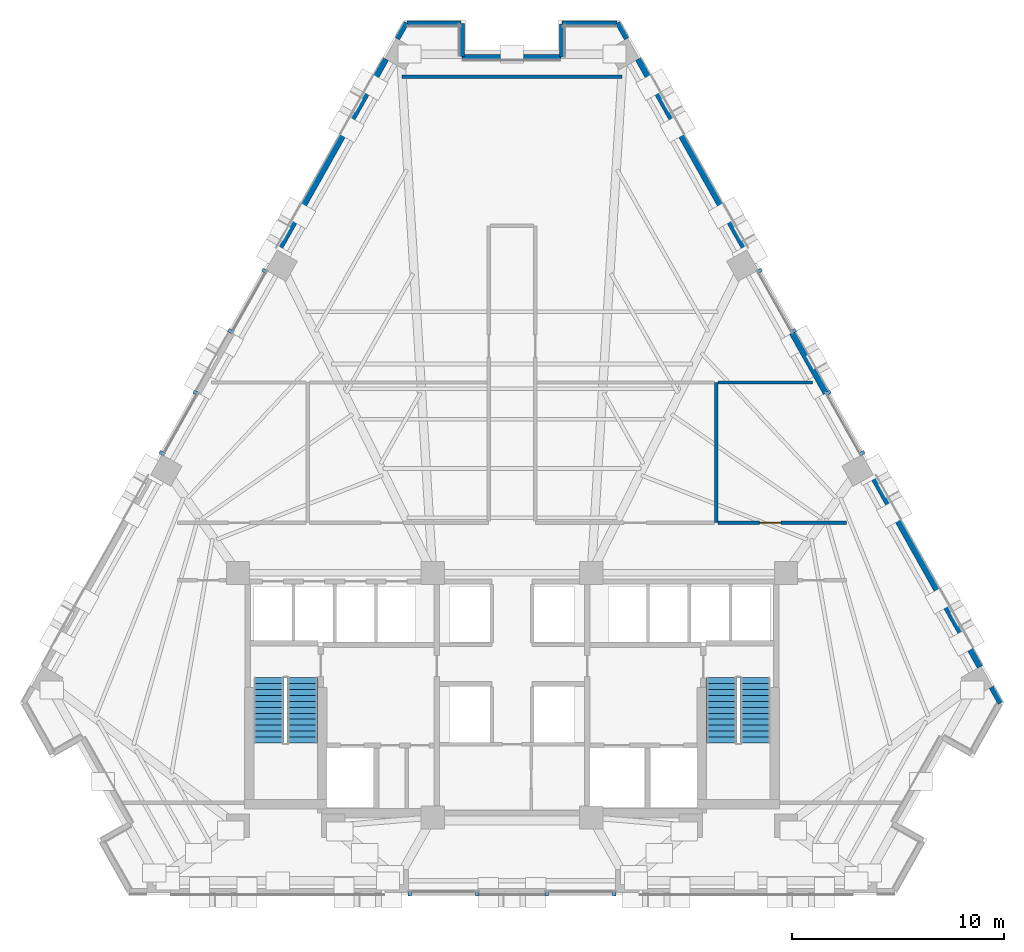
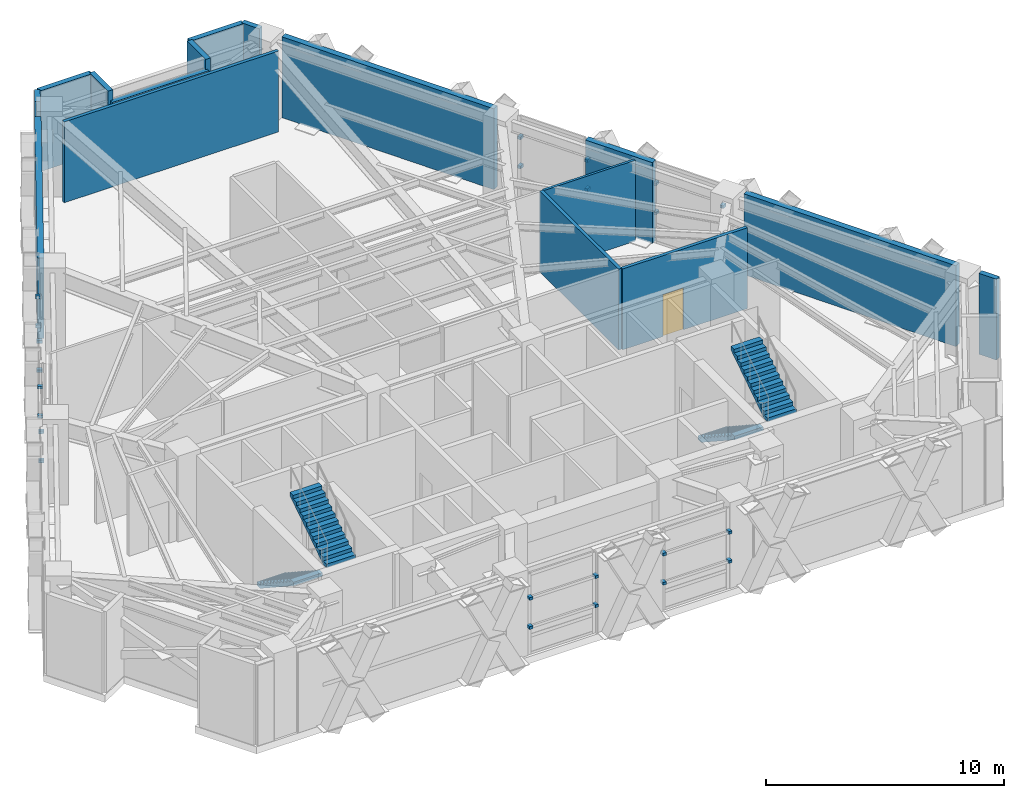
# One storey, part 8 of 12: 24 discrete accessories, 16 walls, 4 stair flights, 1 door, 1 opening, 2 elements without a shape of their own.
"""IFC4 building model written with IfcOpenShell, lengths in metres."""

import ifcopenshell
import ifcopenshell.guid

model = None  # the IFC model being written
_history = None  # IfcOwnerHistory: only IFC2X3 demands one
_inside = {}  # id of a spatial element -> (the spatial element, [elements in it])
_under = {}  # id of a project, library or spatial element -> (it, [spatial elements below it])
_declared = {}  # id of a project -> (the project, [libraries it declares])
_typed = {}  # id of a type object -> (the type object, [elements of that type])
_made_of = {}  # id of a material, layer set ... -> (it, [elements and type objects made of it])


def new_model(schema):
    """Start an empty IFC model of exactly this schema.

    Asked for "IFC4X3", IfcOpenShell would pick the latest addendum, in which some entities
    have other attributes; the version numbers below select the first issue.
    IFC2X3 requires an IfcOwnerHistory on every rooted entity: one is made here for all.
    """
    global model, _history
    if schema == "IFC4X3":
        model = ifcopenshell.file(schema_version=(4, 3, 0, 0))
    else:
        model = ifcopenshell.file(schema=schema)
    _inside.clear()
    _under.clear()
    _declared.clear()
    _typed.clear()
    _made_of.clear()
    _history = None
    if model.schema == "IFC2X3":
        org = make("IfcOrganization", Name="unknown")
        user = make(
            "IfcPersonAndOrganization",
            ThePerson=make("IfcPerson", FamilyName="unknown"),
            TheOrganization=org,
        )
        app = make(
            "IfcApplication",
            ApplicationDeveloper=org,
            Version="unknown",
            ApplicationFullName="unknown",
            ApplicationIdentifier="unknown",
        )
        _history = make(
            "IfcOwnerHistory",
            OwningUser=user,
            OwningApplication=app,
            ChangeAction="ADDED",
            CreationDate=0,
        )
    return model


def make(cls, **values):
    """One entity of the class cls with the attributes given. An attribute that is None is left unset."""
    return model.create_entity(
        cls, **{name: value for name, value in values.items() if value is not None}
    )


def rooted(cls, **values):
    """An entity with a GlobalId (a new one), such as an element, a storey or a relation."""
    return make(cls, GlobalId=ifcopenshell.guid.new(), OwnerHistory=_history, **values)


def si_unit(unit_type, name, prefix=None):
    """IfcSIUnit, for example si_unit("LENGTHUNIT", "METRE", prefix="MILLI")."""
    return make("IfcSIUnit", UnitType=unit_type, Prefix=prefix, Name=name)


def assignment(units):
    """IfcUnitAssignment: the units of a project."""
    return None if units is None else make("IfcUnitAssignment", Units=units)


def point(xyz):
    """IfcCartesianPoint."""
    return None if xyz is None else make("IfcCartesianPoint", Coordinates=xyz)


def direction(xyz):
    """IfcDirection."""
    return None if xyz is None else make("IfcDirection", DirectionRatios=xyz)


def frame(location, z_axis=None, x_axis=None):
    """IfcAxis2Placement3D, a coordinate frame: its origin and axes. An axis left out is left unset."""
    return make(
        "IfcAxis2Placement3D",
        Location=point(location),
        Axis=direction(z_axis),
        RefDirection=direction(x_axis),
    )


def frame_2d(location, x_axis=None):
    """IfcAxis2Placement2D, a coordinate frame in the plane: its origin and x axis."""
    return make(
        "IfcAxis2Placement2D", Location=point(location), RefDirection=direction(x_axis)
    )


def origin():
    """The frame at (0, 0, 0) with its axes left unset."""
    return frame((0.0, 0.0, 0.0))


def origin_2d():
    """The frame at (0, 0) in the plane with its x axis left unset."""
    return frame_2d((0.0, 0.0))


def place(relative_to, where):
    """IfcLocalPlacement: puts the frame where relative to a parent placement (None: the world)."""
    return make(
        "IfcLocalPlacement", PlacementRelTo=relative_to, RelativePlacement=where
    )


def context(
    kind, dimensions, precision=None, world=None, true_north=None, identifier=None
):
    """IfcGeometricRepresentationContext, for example the 3D "Model" context."""
    return make(
        "IfcGeometricRepresentationContext",
        ContextIdentifier=identifier,
        ContextType=kind,
        CoordinateSpaceDimension=dimensions,
        Precision=precision,
        WorldCoordinateSystem=world,
        TrueNorth=true_north,
    )


def subcontext(parent, identifier, kind, view, scale=None):
    """IfcGeometricRepresentationSubContext, for example "Body" below "Model"."""
    return make(
        "IfcGeometricRepresentationSubContext",
        ContextIdentifier=identifier,
        ContextType=kind,
        ParentContext=parent,
        TargetScale=scale,
        TargetView=view,
    )


def project(units=None, contexts=None):
    """IfcProject with its units and contexts."""
    return rooted(
        "IfcProject",
        Name="project",
        RepresentationContexts=contexts,
        UnitsInContext=assignment(units),
    )


def spatial(cls, under=None, at=None, **own):
    """A site, building, storey or space (cls), placed at a placement, below another one or the project."""
    s = rooted(cls, ObjectPlacement=at, **own)
    if under is not None:
        _under.setdefault(under.id(), (under, []))[1].append(s)
    return s


def polyline(points):
    """IfcPolyline through the points."""
    return make("IfcPolyline", Points=[point(p) for p in points])


def profile(cls, at=None, kind="AREA", **sizes):
    """A parametric profile (cls). Its sizes go by their IFC names, for example OverallWidth=200.0."""
    return make(cls, ProfileType=kind, Position=at, **sizes)


def rectangle(**sizes):
    """IfcRectangleProfileDef."""
    return profile("IfcRectangleProfileDef", **sizes)


def outline(outer, holes=None, kind="AREA"):
    """IfcArbitraryClosedProfileDef: a profile drawn as a closed curve; with holes, ...WithVoids."""
    if holes is None:
        return make("IfcArbitraryClosedProfileDef", ProfileType=kind, OuterCurve=outer)
    return make(
        "IfcArbitraryProfileDefWithVoids",
        ProfileType=kind,
        OuterCurve=outer,
        InnerCurves=holes,
    )


def extrude(swept, where, along, depth):
    """IfcExtrudedAreaSolid: the profile swept, set in the frame where, extruded along a direction by depth."""
    return make(
        "IfcExtrudedAreaSolid",
        SweptArea=swept,
        Position=where,
        ExtrudedDirection=direction(along),
        Depth=depth,
    )


def shape(context_of_items, identifier, shape_type, items):
    """IfcShapeRepresentation: the items that make up one representation, for example the "Body"."""
    return make(
        "IfcShapeRepresentation",
        ContextOfItems=context_of_items,
        RepresentationIdentifier=identifier,
        RepresentationType=shape_type,
        Items=items,
    )


def material(Name=None, Category=None):
    """IfcMaterial."""
    return make("IfcMaterial", Name=Name, Category=Category)


def layer(
    of_material, thickness, ventilated=None, Name=None, Category=None, Priority=None
):
    """IfcMaterialLayer: one layer of a wall or slab, of a material (None: an air gap)."""
    return make(
        "IfcMaterialLayer",
        Material=of_material,
        LayerThickness=thickness,
        IsVentilated=ventilated,
        Name=Name,
        Category=Category,
        Priority=Priority,
    )


def layer_set(layers, Name=None):
    """IfcMaterialLayerSet."""
    return make("IfcMaterialLayerSet", MaterialLayers=layers, LayerSetName=Name)


def made_of(thing, what):
    """Note that an element or type object is made of a material, layer set ...; save() writes the relation."""
    if what is not None:
        _made_of.setdefault(what.id(), (what, []))[1].append(thing)
    return thing


def type_object(cls, material=None, **own):
    """A type object (cls), such as IfcWallType, which elements share."""
    return made_of(rooted(cls, **own), material)


def element(
    cls,
    number,
    at=None,
    inside=None,
    cuts=None,
    type_object=None,
    material=None,
    context=None,
    identifier="Body",
    shape_type=None,
    held_by="IfcProductDefinitionShape",
    body=None,
    shapes=None,
    **own,
):
    """One element of the class cls, such as IfcWall. Its Tag is "e" and its number.

    at: its placement. inside: the storey or other place that contains it. cuts: it is an
    opening in that element (IfcRelVoidsElement). A single representation is given by context,
    identifier, shape_type and body (its items); several are given by shapes. held_by: the class
    of the entity that holds the representations. save() writes the other relations.
    """
    e = rooted(cls, Tag="e%d" % number, ObjectPlacement=at, **own)
    if body is not None:
        shapes = [shape(context, identifier, shape_type, body)]
    if shapes is not None:
        e.Representation = make(held_by, Representations=shapes)
    if inside is not None:
        _inside.setdefault(inside.id(), (inside, []))[1].append(e)
    if cuts is not None:
        rooted(
            "IfcRelVoidsElement", RelatingBuildingElement=cuts, RelatedOpeningElement=e
        )
    if type_object is not None:
        _typed.setdefault(type_object.id(), (type_object, []))[1].append(e)
    return made_of(e, material)


def fill(opening, filler):
    """IfcRelFillsElement: the door or window that sits in an opening."""
    return rooted(
        "IfcRelFillsElement",
        RelatingOpeningElement=opening,
        RelatedBuildingElement=filler,
    )


def aggregate(whole, parts):
    """IfcRelAggregates: a whole, such as a stair, and the parts it consists of."""
    return rooted("IfcRelAggregates", RelatingObject=whole, RelatedObjects=parts)


def save(model, path):
    """Write the relations noted so far, then the file.

    IfcRelAggregates (storeys below a building ...), IfcRelContainedInSpatialStructure (elements
    in a storey), IfcRelDefinesByType, IfcRelAssociatesMaterial and IfcRelDeclares: one each for
    every whole, place, type object, material and project.
    """
    for whole, parts in _under.values():
        aggregate(whole, parts)
    for where, things in _inside.values():
        rooted(
            "IfcRelContainedInSpatialStructure",
            RelatedElements=things,
            RelatingStructure=where,
        )
    for kind, things in _typed.values():
        rooted("IfcRelDefinesByType", RelatedObjects=things, RelatingType=kind)
    for what, things in _made_of.values():
        rooted("IfcRelAssociatesMaterial", RelatedObjects=things, RelatingMaterial=what)
    for by, libraries in _declared.values():
        rooted("IfcRelDeclares", RelatingContext=by, RelatedDefinitions=libraries)
    model.write(path)


model = new_model("IFC4")

# Units and contexts
model_context = context("Model", 3, precision=1e-05, world=origin(), true_north=direction((0.0, 1.0)))
body_context = subcontext(model_context, "Body", "Model", "MODEL_VIEW")
ifc_project = project(units=[si_unit("LENGTHUNIT", "METRE"), si_unit("AREAUNIT", "SQUARE_METRE"), si_unit("VOLUMEUNIT", "CUBIC_METRE"), si_unit("PLANEANGLEUNIT", "RADIAN"), si_unit("MASSUNIT", "GRAM", prefix="KILO")], contexts=[model_context])

# Site, building, storey
site_placement = place(None, origin())
site = spatial("IfcSite", under=ifc_project, at=site_placement, CompositionType="ELEMENT")
building_placement = place(site_placement, origin())
building = spatial("IfcBuilding", under=site, at=building_placement, Name="Quenlor Broadcast Tower", CompositionType="ELEMENT")
storey_placement = place(building_placement, frame((0.0, 0.0, 90.60009765625)))
storey = spatial("IfcBuildingStorey", under=building, at=storey_placement, Name="L24", CompositionType="ELEMENT", Elevation=90.60009765625)

# Walls
ifc_material_1 = material(Name="Gypsum Fireboard Partition", Category="other")
ifc_layer_1 = layer(ifc_material_1, 0.159912109375)
ifc_layer_set_1 = layer_set([ifc_layer_1], Name="Fire Rated Shaft and Corridor Partition 160")
wall_type_1 = type_object("IfcWallType", Name="Fire Rated Shaft and Corridor Partition 160", PredefinedType="PARTITIONING", material=ifc_layer_set_1)
wall_1_placement = place(storey_placement, frame((9.659912109375, -2.419921875, 0.0), z_axis=(0.0, 0.0, 1.0), x_axis=(0.0, 1.0, 0.0)))
element("IfcWall", 1, at=wall_1_placement, inside=storey, type_object=wall_type_1, Name="L24 Interior Wall PW-RF-NME", PredefinedType="PARTITIONING", context=body_context, shape_type="SweptSolid", body=[
    extrude(rectangle(XDim=6.619873046875, YDim=0.159912109375, at=frame_2d((3.31005859375, 0.0))), origin(), (0.0, 0.0, 1.0), 4.14990234375),
])
wall_2_placement = place(storey_placement, frame((-5.199951171875, 18.64990234375, 0.0), z_axis=(0.0, 0.0, 1.0), x_axis=(1.0, 0.0, 0.0)))
element("IfcWall", 2, at=wall_2_placement, inside=storey, type_object=wall_type_1, Name="L24 Interior Wall PW-PL-NTOP", PredefinedType="PARTITIONING", context=body_context, shape_type="SweptSolid", body=[
    extrude(rectangle(XDim=10.39990234375, YDim=0.159912109375, at=frame_2d((5.199951171875, 0.0))), origin(), (0.0, 0.0, 1.0), 4.14990234375),
])

# Wall, opening, door
wall_3_placement = place(storey_placement, frame((9.741943359375, -2.419921875, 0.0), z_axis=(0.0, 0.0, 1.0), x_axis=(1.0, 0.0, 0.0)))
wall_3 = element("IfcWall", 3, at=wall_3_placement, inside=storey, type_object=wall_type_1, Name="L24 Interior Wall PW-PL-HES2", PredefinedType="PARTITIONING", context=body_context, shape_type="SweptSolid", body=[
    extrude(rectangle(XDim=6.05810546875, YDim=0.159912109375, at=frame_2d((3.029052734375, 0.0))), origin(), (0.0, 0.0, 1.0), 4.14990234375),
])
opening_placement = place(wall_3_placement, frame((1.9580078125, 0.0, 0.0)))
opening = element("IfcOpeningElement", 4, at=opening_placement, cuts=wall_3, Name="Opening FD-2", PredefinedType="OPENING", context=body_context, shape_type="SweptSolid", body=[
    extrude(rectangle(XDim=1.0, YDim=2.14990234375, at=frame_2d((0.5, 1.074951171875))), frame((0.0, 0.08984375, 0.0), z_axis=(0.0, -1.0, 0.0), x_axis=(1.0, 0.0, 0.0)), (0.0, 0.0, 1.0), 0.179931640625),
])
ifc_material_2 = material(Name="Fire Rated Glazed Steel Door", Category="steel")
door_type = type_object("IfcDoorType", Name="Firefighting Lobby Smoke Door 1000x2150", OperationType="NOTDEFINED", PredefinedType="DOOR", material=ifc_material_2)
door_placement = place(opening_placement, origin())
door = element("IfcDoor", 5, at=door_placement, inside=storey, type_object=door_type, Name="L24 Door DR-REFE2", OperationType="SINGLE_SWING_RIGHT", OverallHeight=2.14990234375, OverallWidth=1.0, PredefinedType="DOOR", context=body_context, shape_type="SweptSolid", body=[
    extrude(rectangle(XDim=1.0, YDim=2.14990234375, at=frame_2d((0.5, 1.074951171875))), frame((0.0, 0.02490234375, 0.0), z_axis=(0.0, -1.0, 0.0), x_axis=(1.0, 0.0, 0.0)), (0.0, 0.0, 1.0), 0.050048828125),
])
fill(opening, door)

# Walls
ifc_material_3 = material(Name="Gypsum Plasterboard Partition", Category="other")
ifc_layer_2 = layer(ifc_material_3, 0.1201171875)
ifc_layer_set_2 = layer_set([ifc_layer_2], Name="Standard Office Partition 120")
wall_type_2 = type_object("IfcWallType", Name="Standard Office Partition 120", PredefinedType="PARTITIONING", material=ifc_layer_set_2)
wall_4_placement = place(storey_placement, frame((9.741943359375, 4.199951171875, 0.0), z_axis=(0.0, 0.0, 1.0), x_axis=(1.0, 0.0, 0.0)))
element("IfcWall", 6, at=wall_4_placement, inside=storey, type_object=wall_type_2, Name="L24 Interior Wall PW-PL-YES2", PredefinedType="PARTITIONING", context=body_context, shape_type="SweptSolid", body=[
    extrude(rectangle(XDim=4.4580078125, YDim=0.1201171875, at=frame_2d((2.22900390625, 0.0))), origin(), (0.0, 0.0, 1.0), 4.14990234375),
])
ifc_material_4 = material(Name="Precast concrete C40/50", Category="concrete")
ifc_layer_3 = layer(ifc_material_4, 0.239990234375)
ifc_layer_set_3 = layer_set([ifc_layer_3], Name="Terrace Threshold Precast Concrete C40/50 Wall 240")
wall_type_3 = type_object("IfcWallType", Name="Terrace Threshold Precast Concrete C40/50 Wall 240", PredefinedType="STANDARD", material=ifc_layer_set_3)
for number, where, z_axis, x_axis, name in (
    (7, (4.992919921875, 21.197265625, 0.0), (0.0, 0.0, 1.0), (0.490355003566, -0.871522788272, 0.0), "L24 Exterior Wall L24-SHD-NES0"),
    (8, (22.65380859375, -10.199951171875, 0.0), (0.0, 0.0, 1.0), (0.490355003566, -0.871522788272, 0.0), "L24 Exterior Wall L24-SHD-NES1"),
    (9, (-5.417236328125, 20.443115234375, 0.0), (0.0, 0.0, 1.0), (0.490355003566, 0.871522788272, 0.0), "L24 Exterior Wall L24-SHD-NWS1"),
):
    element("IfcWall", number, at=place(storey_placement, frame(where, z_axis=z_axis, x_axis=x_axis)), inside=storey, type_object=wall_type_3, Name=name, PredefinedType="STANDARD", context=body_context, shape_type="SweptSolid", body=[
        extrude(rectangle(XDim=0.865234375, YDim=0.239990234375, at=frame_2d((0.4326171875, 0.0))), origin(), (0.0, 0.0, 1.0), 4.14990234375),
    ])
wall_5_placement = place(storey_placement, frame((4.95947265625, 21.16796875, 0.0), z_axis=(0.0, 0.0, 1.0), x_axis=(-1.0, 0.0, 0.0)))
element("IfcWall", 10, at=wall_5_placement, inside=storey, type_object=wall_type_3, Name="L24 Exterior Wall L24-CNR-06", PredefinedType="STANDARD", context=body_context, shape_type="SweptSolid", body=[
    extrude(rectangle(XDim=2.599365234375, YDim=0.239990234375, at=frame_2d((1.2998046875, 0.0))), origin(), (0.0, 0.0, 1.0), 4.14990234375),
])
wall_6_placement = place(storey_placement, frame((2.360107421875, 21.1279296875, 0.0), z_axis=(0.0, 0.0, 1.0), x_axis=(0.0, -1.0, 0.0)))
element("IfcWall", 11, at=wall_6_placement, inside=storey, type_object=wall_type_3, Name="L24 Exterior Wall L24-CNR-07", PredefinedType="STANDARD", context=body_context, shape_type="SweptSolid", body=[
    extrude(rectangle(XDim=1.559814453125, YDim=0.239990234375, at=frame_2d((0.77978515625, 0.0))), origin(), (0.0, 0.0, 1.0), 4.14990234375),
])
wall_7_placement = place(storey_placement, frame((2.320068359375, 19.568115234375, 0.0), z_axis=(0.0, 0.0, 1.0), x_axis=(-1.0, 0.0, 0.0)))
element("IfcWall", 12, at=wall_7_placement, inside=storey, type_object=wall_type_3, Name="L24 Exterior Wall L24-CNR-08", PredefinedType="STANDARD", context=body_context, shape_type="SweptSolid", body=[
    extrude(rectangle(XDim=4.68017578125, YDim=0.239990234375, at=frame_2d((2.340087890625, 0.0))), origin(), (0.0, 0.0, 1.0), 3.62158203125),
])
wall_8_placement = place(storey_placement, frame((-2.360107421875, 19.60791015625, 0.0), z_axis=(0.0, 0.0, 1.0), x_axis=(0.0, 1.0, 0.0)))
element("IfcWall", 13, at=wall_8_placement, inside=storey, type_object=wall_type_3, Name="L24 Exterior Wall L24-CNR-09", PredefinedType="STANDARD", context=body_context, shape_type="SweptSolid", body=[
    extrude(rectangle(XDim=1.56005859375, YDim=0.239990234375, at=frame_2d((0.780029296875, 0.0))), origin(), (0.0, 0.0, 1.0), 4.14990234375),
])
wall_9_placement = place(storey_placement, frame((-2.39990234375, 21.16796875, 0.0), z_axis=(0.0, 0.0, 1.0), x_axis=(-1.0, 0.0, 0.0)))
element("IfcWall", 14, at=wall_9_placement, inside=storey, type_object=wall_type_3, Name="L24 Exterior Wall L24-CNR-10", PredefinedType="STANDARD", context=body_context, shape_type="SweptSolid", body=[
    extrude(rectangle(XDim=2.5595703125, YDim=0.239990234375, at=frame_2d((1.27978515625, 0.0))), origin(), (0.0, 0.0, 1.0), 4.14990234375),
])
ifc_material_5 = material(Name="Precast concrete C40/50", Category="concrete")
ifc_layer_4 = layer(ifc_material_5, 0.280029296875)
ifc_layer_set_4 = layer_set([ifc_layer_4], Name="Terracotta Precast Concrete C40/50 Facade Wall 280")
wall_type_4 = type_object("IfcWallType", Name="Terracotta Precast Concrete C40/50 Facade Wall 280", PredefinedType="STANDARD", material=ifc_layer_set_4)
for number, where, z_axis, x_axis, name in (
    (15, (5.96142578125, 19.4755859375, 0.0), (0.0, 0.0, 1.0), (0.49024893553, -0.871582458068, 0.0), "L24 Exterior Wall L24-EW-NEA"),
    (16, (17.029296875, -0.200439453125, 0.0), (0.0, 0.0, 1.0), (0.49024893553, -0.871582458068, 0.0), "L24 Exterior Wall L24-EW-NEC"),
):
    element("IfcWall", number, at=place(storey_placement, frame(where, z_axis=z_axis, x_axis=x_axis)), inside=storey, type_object=wall_type_4, Name=name, PredefinedType="STANDARD", context=body_context, shape_type="SweptSolid", body=[
        extrude(rectangle(XDim=10.36279296875, YDim=0.280029296875, at=frame_2d((5.181396484375, 0.0))), origin(), (0.0, 0.0, 1.0), 4.14990234375),
    ])
wall_10_placement = place(storey_placement, frame((13.2333984375, 6.5478515625, 0.0), z_axis=(0.0, 0.0, 1.0), x_axis=(0.490247072906, -0.871583505757, 0.0)))
element("IfcWall", 17, at=wall_10_placement, inside=storey, type_object=wall_type_4, Name="L24 Exterior Wall L24-NE-SP1", PredefinedType="STANDARD", context=body_context, shape_type="SweptSolid", body=[
    extrude(rectangle(XDim=3.272705078125, YDim=0.280029296875, at=frame_2d((1.63623046875, 0.0))), origin(), (0.0, 0.0, 1.0), 4.14990234375),
])
wall_11_placement = place(storey_placement, frame((-11.041748046875, 10.443603515625, 0.0), z_axis=(0.0, 0.0, 1.0), x_axis=(0.49024893553, 0.871582458068, 0.0)))
element("IfcWall", 18, at=wall_11_placement, inside=storey, type_object=wall_type_4, Name="L24 Exterior Wall L24-EW-NWC", PredefinedType="STANDARD", context=body_context, shape_type="SweptSolid", body=[
    extrude(rectangle(XDim=10.36279296875, YDim=0.280029296875, at=frame_2d((5.181396484375, 0.0))), origin(), (0.0, 0.0, 1.0), 4.14990234375),
])

# Stair, stair flights
ifc_material_6 = material(Name="Precast concrete C40/50", Category="concrete")
stair_type = type_object("IfcStairType", Name="Precast Concrete C40/50 Dogleg Stair H440", PredefinedType="HALF_TURN_STAIR", material=ifc_material_6)
stair_1_placement = place(storey_placement, origin())
stair_1 = element("IfcStair", 19, at=stair_1_placement, inside=storey, type_object=stair_type, Name="L24 West Core Fire-Isolated Exit Stair ST-1", PredefinedType="HALF_TURN_STAIR")
ifc_material_7 = material(Name="Precast concrete C40/50", Category="concrete")
ifc_layer_5 = layer(ifc_material_7, 0.169921875)
ifc_layer_set_5 = layer_set([ifc_layer_5], Name="Precast Concrete C40/50 Stair Flight H440")
stair_flight_type = type_object("IfcStairFlightType", Name="Precast Concrete C40/50 Stair Flight H440", PredefinedType="STRAIGHT", material=ifc_layer_set_5)
stair_flight_1_placement = place(storey_placement, frame((-11.5, -9.75, 0.0), z_axis=(0.0, 0.0, 1.0), x_axis=(0.0, -1.0, 0.0)))
stair_flight_1 = element("IfcStairFlight", 20, at=stair_flight_1_placement, type_object=stair_flight_type, Name="ST-1 flight 1", NumberOfRisers=12, NumberOfTreads=11, PredefinedType="STRAIGHT", RiserHeight=0.183333333, TreadLength=0.28, context=body_context, shape_type="SweptSolid", body=[
    extrude(outline(polyline([(0.0, 0.0), (0.0, 0.183349609375), (0.280029296875, 0.183349609375), (0.280029296875, 0.36669921875), (0.56005859375, 0.36669921875), (0.56005859375, 0.550048828125), (0.840087890625, 0.550048828125), (0.840087890625, 0.7333984375), (1.1201171875, 0.7333984375), (1.1201171875, 0.916748046875), (1.39990234375, 0.916748046875), (1.39990234375, 1.10009765625), (1.679931640625, 1.10009765625), (1.679931640625, 1.283447265625), (1.9599609375, 1.283447265625), (1.9599609375, 1.466552734375), (2.239990234375, 1.466552734375), (2.239990234375, 1.64990234375), (2.52001953125, 1.64990234375), (2.52001953125, 1.833251953125), (2.800048828125, 1.833251953125), (2.800048828125, 2.0166015625), (3.080078125, 2.0166015625), (3.080078125, 2.199951171875), (3.080078125, 1.83740234375), (0.273681640625, 0.0), (0.0, 0.0)])), frame((0.0, 0.699951171875, 0.0), z_axis=(0.0, -1.0, 0.0), x_axis=(1.0, 0.0, 0.0)), (0.0, 0.0, 1.0), 1.39990234375),
])
stair_flight_2_placement = place(storey_placement, frame((-9.89990234375, -12.830078125, 2.199951171875), z_axis=(0.0, 0.0, 1.0), x_axis=(0.0, 1.0, 0.0)))
stair_flight_2 = element("IfcStairFlight", 21, at=stair_flight_2_placement, type_object=stair_flight_type, Name="ST-1 flight 2", NumberOfRisers=12, NumberOfTreads=11, PredefinedType="STRAIGHT", RiserHeight=0.183333333, TreadLength=0.28, context=body_context, shape_type="SweptSolid", body=[
    extrude(outline(polyline([(0.0, 0.0), (0.0, 0.183349609375), (0.280029296875, 0.183349609375), (0.280029296875, 0.36669921875), (0.56005859375, 0.36669921875), (0.56005859375, 0.550048828125), (0.840087890625, 0.550048828125), (0.840087890625, 0.7333984375), (1.1201171875, 0.7333984375), (1.1201171875, 0.916748046875), (1.39990234375, 0.916748046875), (1.39990234375, 1.10009765625), (1.679931640625, 1.10009765625), (1.679931640625, 1.283447265625), (1.9599609375, 1.283447265625), (1.9599609375, 1.466552734375), (2.239990234375, 1.466552734375), (2.239990234375, 1.64990234375), (2.52001953125, 1.64990234375), (2.52001953125, 1.833251953125), (2.800048828125, 1.833251953125), (2.800048828125, 2.0166015625), (3.080078125, 2.0166015625), (3.080078125, 2.199951171875), (3.080078125, 1.83740234375), (0.273681640625, 0.0), (0.0, 0.0)])), frame((0.0, 0.699951171875, 0.0), z_axis=(0.0, -1.0, 0.0), x_axis=(1.0, 0.0, 0.0)), (0.0, 0.0, 1.0), 1.39990234375),
])
aggregate(stair_1, [stair_flight_1, stair_flight_2])

stair_2_placement = place(storey_placement, origin())
stair_2 = element("IfcStair", 22, at=stair_2_placement, inside=storey, type_object=stair_type, Name="L24 East Core Fire-Isolated Exit Stair ST-2", PredefinedType="HALF_TURN_STAIR")
stair_flight_3_placement = place(storey_placement, frame((9.89990234375, -9.75, 0.0), z_axis=(0.0, 0.0, 1.0), x_axis=(0.0, -1.0, 0.0)))
stair_flight_3 = element("IfcStairFlight", 23, at=stair_flight_3_placement, type_object=stair_flight_type, Name="ST-2 flight 1", NumberOfRisers=12, NumberOfTreads=11, PredefinedType="STRAIGHT", RiserHeight=0.183333333, TreadLength=0.28, context=body_context, shape_type="SweptSolid", body=[
    extrude(outline(polyline([(0.0, 0.0), (0.0, 0.183349609375), (0.280029296875, 0.183349609375), (0.280029296875, 0.36669921875), (0.56005859375, 0.36669921875), (0.56005859375, 0.550048828125), (0.840087890625, 0.550048828125), (0.840087890625, 0.7333984375), (1.1201171875, 0.7333984375), (1.1201171875, 0.916748046875), (1.39990234375, 0.916748046875), (1.39990234375, 1.10009765625), (1.679931640625, 1.10009765625), (1.679931640625, 1.283447265625), (1.9599609375, 1.283447265625), (1.9599609375, 1.466552734375), (2.239990234375, 1.466552734375), (2.239990234375, 1.64990234375), (2.52001953125, 1.64990234375), (2.52001953125, 1.833251953125), (2.800048828125, 1.833251953125), (2.800048828125, 2.0166015625), (3.080078125, 2.0166015625), (3.080078125, 2.199951171875), (3.080078125, 1.83740234375), (0.273681640625, 0.0), (0.0, 0.0)])), frame((0.0, 0.699951171875, 0.0), z_axis=(0.0, -1.0, 0.0), x_axis=(1.0, 0.0, 0.0)), (0.0, 0.0, 1.0), 1.39990234375),
])
stair_flight_4_placement = place(storey_placement, frame((11.5, -12.830078125, 2.199951171875), z_axis=(0.0, 0.0, 1.0), x_axis=(0.0, 1.0, 0.0)))
stair_flight_4 = element("IfcStairFlight", 24, at=stair_flight_4_placement, type_object=stair_flight_type, Name="ST-2 flight 2", NumberOfRisers=12, NumberOfTreads=11, PredefinedType="STRAIGHT", RiserHeight=0.183333333, TreadLength=0.28, context=body_context, shape_type="SweptSolid", body=[
    extrude(outline(polyline([(0.0, 0.0), (0.0, 0.183349609375), (0.280029296875, 0.183349609375), (0.280029296875, 0.36669921875), (0.56005859375, 0.36669921875), (0.56005859375, 0.550048828125), (0.840087890625, 0.550048828125), (0.840087890625, 0.7333984375), (1.1201171875, 0.7333984375), (1.1201171875, 0.916748046875), (1.39990234375, 0.916748046875), (1.39990234375, 1.10009765625), (1.679931640625, 1.10009765625), (1.679931640625, 1.283447265625), (1.9599609375, 1.283447265625), (1.9599609375, 1.466552734375), (2.239990234375, 1.466552734375), (2.239990234375, 1.64990234375), (2.52001953125, 1.64990234375), (2.52001953125, 1.833251953125), (2.800048828125, 1.833251953125), (2.800048828125, 2.0166015625), (3.080078125, 2.0166015625), (3.080078125, 2.199951171875), (3.080078125, 1.83740234375), (0.273681640625, 0.0), (0.0, 0.0)])), frame((0.0, 0.699951171875, 0.0), z_axis=(0.0, -1.0, 0.0), x_axis=(1.0, 0.0, 0.0)), (0.0, 0.0, 1.0), 1.39990234375),
])
aggregate(stair_2, [stair_flight_3, stair_flight_4])

# Discrete accessories
ifc_material_8 = material(Name="Aluminium 6063-T6", Category="aluminium")
discrete_accessory_type = type_object("IfcDiscreteAccessoryType", Name="Stainless Mullion Baguette Support Bracket", PredefinedType="BRACKET", material=ifc_material_8)
for number, where, z_axis, x_axis, name in (
    (25, (4.835693359375, -19.93994140625, 1.423828125), (0.0, 0.0, 1.0), (-1.0, 0.0, 0.0), "L24 Baguette Mullion Bracket 1.1"),
    (26, (1.64892578125, -19.93994140625, 1.423828125), (0.0, 0.0, 1.0), (-1.0, 0.0, 0.0), "L24 Baguette Mullion Bracket 1.2"),
    (27, (4.835693359375, -19.93994140625, 2.91796875), (0.0, 0.0, 1.0), (-1.0, 0.0, 0.0), "L24 Baguette Mullion Bracket 2.1"),
    (28, (1.64892578125, -19.93994140625, 2.91796875), (0.0, 0.0, 1.0), (-1.0, 0.0, 0.0), "L24 Baguette Mullion Bracket 2.2"),
    (29, (-1.64892578125, -19.93994140625, 1.423828125), (0.0, 0.0, 1.0), (-1.0, 0.0, 0.0), "L24 Baguette Mullion Bracket 1.1"),
    (30, (-4.835693359375, -19.93994140625, 1.423828125), (0.0, 0.0, 1.0), (-1.0, 0.0, 0.0), "L24 Baguette Mullion Bracket 1.2"),
    (31, (-1.64892578125, -19.93994140625, 2.91796875), (0.0, 0.0, 1.0), (-1.0, 0.0, 0.0), "L24 Baguette Mullion Bracket 2.1"),
    (32, (-4.835693359375, -19.93994140625, 2.91796875), (0.0, 0.0, 1.0), (-1.0, 0.0, 0.0), "L24 Baguette Mullion Bracket 2.2"),
    (33, (11.69873046875, 9.4794921875, 1.423828125), (0.0, 0.0, 1.0), (0.49028172162, -0.87156401569, 0.0), "L24 Baguette Mullion Bracket 1.1"),
    (34, (13.302001953125, 6.62939453125, 1.423828125), (0.0, 0.0, 1.0), (0.49028172162, -0.87156401569, 0.0), "L24 Baguette Mullion Bracket 1.2"),
    (35, (11.69873046875, 9.4794921875, 2.91796875), (0.0, 0.0, 1.0), (0.49028172162, -0.87156401569, 0.0), "L24 Baguette Mullion Bracket 2.1"),
    (36, (13.302001953125, 6.62939453125, 2.91796875), (0.0, 0.0, 1.0), (0.49028172162, -0.87156401569, 0.0), "L24 Baguette Mullion Bracket 2.2"),
    (37, (14.943359375, 3.711669921875, 1.423828125), (0.0, 0.0, 1.0), (0.490258903959, -0.871576850937, 0.0), "L24 Baguette Mullion Bracket 1.1"),
    (38, (16.54638671875, 0.86181640625, 1.423828125), (0.0, 0.0, 1.0), (0.490258903959, -0.871576850937, 0.0), "L24 Baguette Mullion Bracket 1.2"),
    (39, (14.943359375, 3.711669921875, 2.91796875), (0.0, 0.0, 1.0), (0.490258903959, -0.871576850937, 0.0), "L24 Baguette Mullion Bracket 2.1"),
    (40, (16.54638671875, 0.86181640625, 2.91796875), (0.0, 0.0, 1.0), (0.490258903959, -0.871576850937, 0.0), "L24 Baguette Mullion Bracket 2.2"),
    (41, (-16.54638671875, 0.86181640625, 1.423828125), (0.0, 0.0, 1.0), (0.490258903959, 0.871576850937, 0.0), "L24 Baguette Mullion Bracket 1.1"),
    (42, (-14.943359375, 3.711669921875, 1.423828125), (0.0, 0.0, 1.0), (0.490258903959, 0.871576850937, 0.0), "L24 Baguette Mullion Bracket 1.2"),
    (43, (-16.54638671875, 0.86181640625, 2.91796875), (0.0, 0.0, 1.0), (0.490258903959, 0.871576850937, 0.0), "L24 Baguette Mullion Bracket 2.1"),
    (44, (-14.943359375, 3.711669921875, 2.91796875), (0.0, 0.0, 1.0), (0.490258903959, 0.871576850937, 0.0), "L24 Baguette Mullion Bracket 2.2"),
    (45, (-13.302001953125, 6.62939453125, 1.423828125), (0.0, 0.0, 1.0), (0.490258903959, 0.871576850937, 0.0), "L24 Baguette Mullion Bracket 1.1"),
    (46, (-11.69873046875, 9.4794921875, 1.423828125), (0.0, 0.0, 1.0), (0.490258903959, 0.871576850937, 0.0), "L24 Baguette Mullion Bracket 1.2"),
    (47, (-13.302001953125, 6.62939453125, 2.91796875), (0.0, 0.0, 1.0), (0.490258903959, 0.871576850937, 0.0), "L24 Baguette Mullion Bracket 2.1"),
    (48, (-11.69873046875, 9.4794921875, 2.91796875), (0.0, 0.0, 1.0), (0.490258903959, 0.871576850937, 0.0), "L24 Baguette Mullion Bracket 2.2"),
):
    element("IfcDiscreteAccessory", number, at=place(storey_placement, frame(where, z_axis=z_axis, x_axis=x_axis)), inside=storey, type_object=discrete_accessory_type, Name=name, PredefinedType="BRACKET", context=body_context, shape_type="SweptSolid", body=[
        extrude(rectangle(XDim=0.159912109375, YDim=0.239990234375, at=origin_2d()), origin(), (0.0, 0.0, 1.0), 0.139892578125),
    ])

save(model, "model.ifc")
